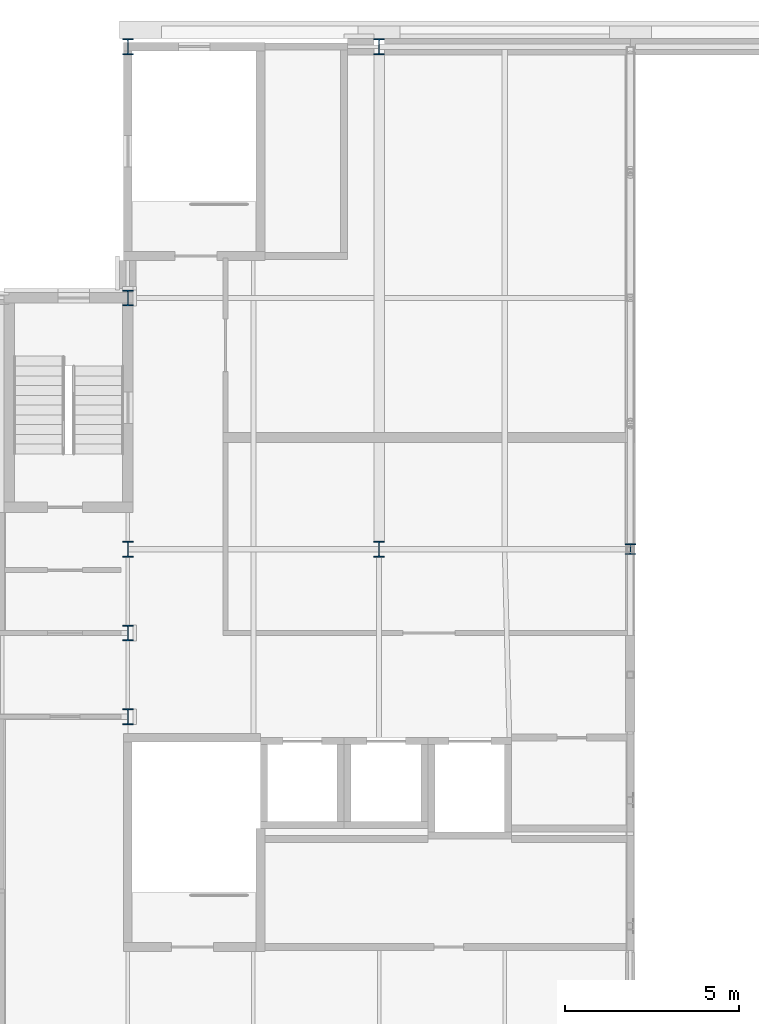
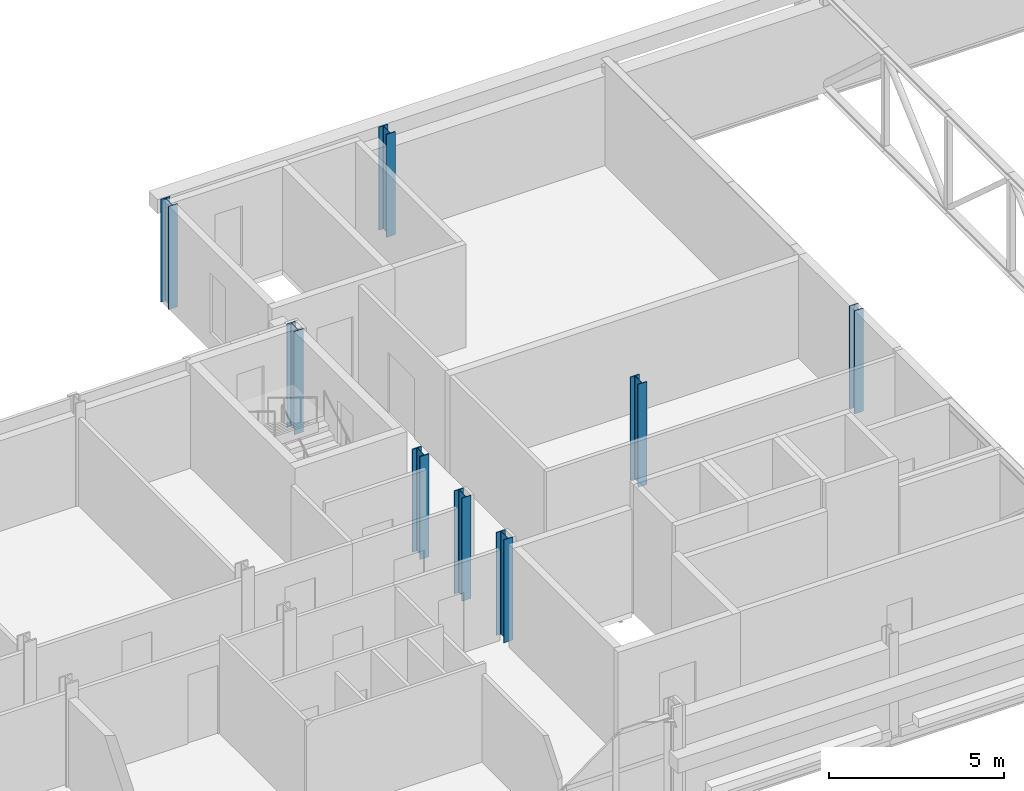
# One storey, part 20 of 142: 8 columns.
"""IFC4 building model written with IfcOpenShell, lengths in metres."""

from ifc_helpers import new_model, si_unit, direction, frame, origin, origin_2d, place, context, subcontext, project, spatial, i_section, extrude, material, material_profile, profile_set, type_object, element, save


model = new_model("IFC4")

# Units and contexts
model_context = context("Model", 3, precision=1e-05, world=origin(), true_north=direction((0.0, 1.0)))
body_context = subcontext(model_context, "Body", "Model", "MODEL_VIEW")
ifc_project = project(units=[si_unit("LENGTHUNIT", "METRE"), si_unit("AREAUNIT", "SQUARE_METRE"), si_unit("VOLUMEUNIT", "CUBIC_METRE"), si_unit("PLANEANGLEUNIT", "RADIAN"), si_unit("MASSUNIT", "GRAM", prefix="KILO")], contexts=[model_context])

# Site, building, storey
site_placement = place(None, origin())
site = spatial("IfcSite", under=ifc_project, at=site_placement, CompositionType="ELEMENT")
building_placement = place(site_placement, origin())
building = spatial("IfcBuilding", under=site, at=building_placement, Name="Kupolbacken Congress Centre", CompositionType="ELEMENT")
storey_placement = place(building_placement, frame((0.0, 0.0, 14.39990234375)))
storey = spatial("IfcBuildingStorey", under=building, at=storey_placement, Name="L04", CompositionType="ELEMENT", Elevation=14.39990234375)

# Columns
ifc_material_1 = material(Name="Steel S355", Category="steel")
ifc_material_profile_1 = material_profile(ifc_material_1, i_section(OverallWidth=0.300048828125, OverallDepth=0.449951171875, WebThickness=0.013916015625, FlangeThickness=0.02587890625, FilletRadius=0.027099609375, at=origin_2d()), Name="HEB 450")
ifc_profile_set_1 = profile_set([ifc_material_profile_1], Name="Steel S355")
column_type_1 = type_object("IfcColumnType", Name="C03 column HEB 450", PredefinedType="COLUMN", material=ifc_profile_set_1)
for number, where, z_axis, x_axis, name in (
    (1, (136.800048828125, 136.800048828125, 0.0), (0.0, 0.0, 1.0), (1.0, 0.0, 0.0), "S/col/C-BF-20V/L04"),
    (2, (136.800048828125, 151.199951171875, 0.0), (0.0, 0.0, 1.0), (1.0, 0.0, 0.0), "S/col/C-BF-20X/L04"),
    (3, (144.0, 136.800048828125, 0.0), (0.0, 0.0, 1.0), (1.0, 0.0, 0.0), "S/col/C-BF-21V/L04"),
    (4, (144.0, 151.199951171875, 0.0), (0.0, 0.0, 1.0), (1.0, 0.0, 0.0), "S/col/C-BF-21X/L04"),
    (5, (136.800048828125, 132.0, 0.0), (0.0, 0.0, 1.0), (1.0, 0.0, 0.0), "S/col/C-T-20U+2400/L04"),
    (6, (136.800048828125, 134.39990234375, 0.0), (0.0, 0.0, 1.0), (1.0, 0.0, 0.0), "S/col/C-T-20U+4800/L04"),
    (7, (136.800048828125, 144.0, 0.0), (0.0, 0.0, 1.0), (1.0, 0.0, 0.0), "S/col/C-T-20W/L04"),
):
    element("IfcColumn", number, at=place(storey_placement, frame(where, z_axis=z_axis, x_axis=x_axis)), inside=storey, type_object=column_type_1, Name=name, PredefinedType="COLUMN", context=body_context, shape_type="SweptSolid", body=[
        extrude(i_section(OverallWidth=0.300048828125, OverallDepth=0.449951171875, WebThickness=0.013916015625, FlangeThickness=0.02587890625, FilletRadius=0.027099609375, at=origin_2d()), origin(), (0.0, 0.0, 1.0), 3.60009765625),
    ])
ifc_material_2 = material(Name="Steel S355", Category="steel")
ifc_material_profile_2 = material_profile(ifc_material_2, i_section(OverallWidth=0.300048828125, OverallDepth=0.300048828125, WebThickness=0.010986328125, FlangeThickness=0.01904296875, FilletRadius=0.027099609375, at=origin_2d()), Name="HEB 300")
ifc_profile_set_2 = profile_set([ifc_material_profile_2], Name="Steel S355")
column_type_2 = type_object("IfcColumnType", Name="C06 column HEB 300", PredefinedType="COLUMN", material=ifc_profile_set_2)
column_placement = place(storey_placement, frame((151.199951171875, 136.800048828125, 0.0), z_axis=(0.0, 0.0, 1.0), x_axis=(1.0, 0.0, 0.0)))
element("IfcColumn", 8, at=column_placement, inside=storey, type_object=column_type_2, Name="S/col/C-B-W/L04", PredefinedType="COLUMN", context=body_context, shape_type="SweptSolid", body=[
    extrude(i_section(OverallWidth=0.300048828125, OverallDepth=0.300048828125, WebThickness=0.010986328125, FlangeThickness=0.01904296875, FilletRadius=0.027099609375, at=origin_2d()), origin(), (0.0, 0.0, 1.0), 3.60009765625),
])

save(model, "model.ifc")
